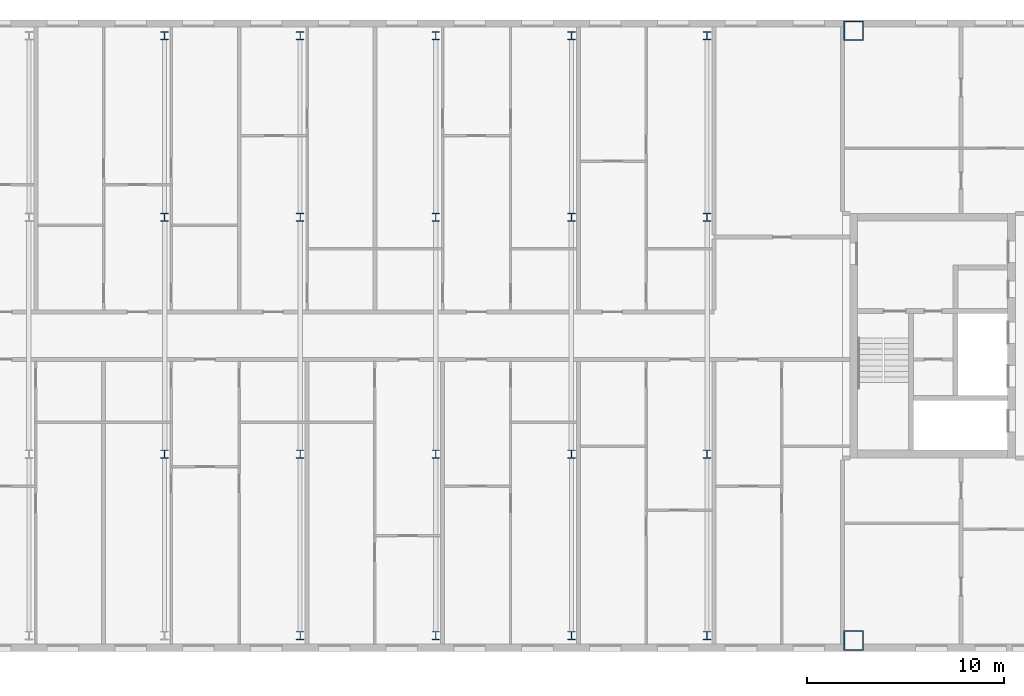
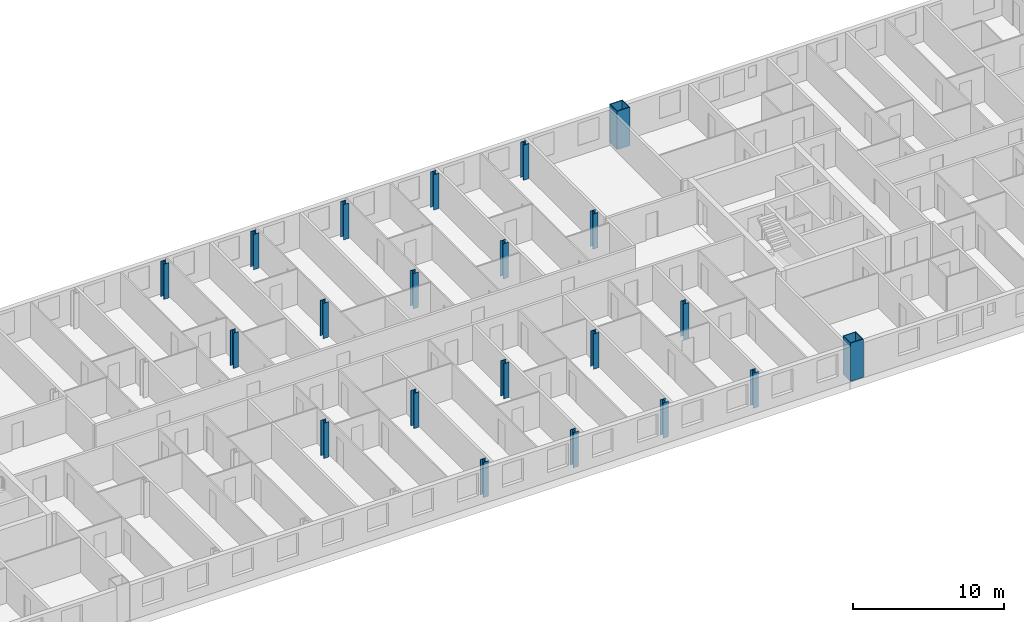
# One storey, part 2 of 19: 21 columns.
"""IFC4 building model written with IfcOpenShell, lengths in metres."""

from ifc_helpers import new_model, si_unit, direction, frame, origin, origin_2d, place, context, subcontext, project, spatial, hollow_rectangle, i_section, extrude, material, material_profile, profile_set, type_object, element, save


model = new_model("IFC4")

# Units and contexts
model_context = context("Model", 3, precision=1e-05, world=origin(), true_north=direction((0.0, 1.0)))
body_context = subcontext(model_context, "Body", "Model", "MODEL_VIEW")
ifc_project = project(units=[si_unit("LENGTHUNIT", "METRE"), si_unit("AREAUNIT", "SQUARE_METRE"), si_unit("VOLUMEUNIT", "CUBIC_METRE"), si_unit("PLANEANGLEUNIT", "RADIAN"), si_unit("MASSUNIT", "GRAM", prefix="KILO")], contexts=[model_context])

# Site, building, storey
site_placement = place(None, origin())
site = spatial("IfcSite", under=ifc_project, at=site_placement, CompositionType="ELEMENT")
building_placement = place(site_placement, origin())
building = spatial("IfcBuilding", under=site, at=building_placement, Name="Tuart Gate Housing", CompositionType="ELEMENT")
storey_placement = place(building_placement, frame((0.0, 0.0, 221.39990234375)))
storey = spatial("IfcBuildingStorey", under=building, at=storey_placement, Name="L62", CompositionType="ELEMENT", Elevation=221.39990234375)

# Columns
ifc_material_1 = material(Name="Steel Grade 350", Category="steel")
ifc_material_profile_1 = material_profile(ifc_material_1, i_section(OverallWidth=0.39990234375, OverallDepth=0.429931640625, WebThickness=0.0400390625, FlangeThickness=0.0400390625, at=origin_2d()), Name="400WC361")
ifc_profile_set_1 = profile_set([ifc_material_profile_1], Name="Steel Grade 350")
column_type_1 = type_object("IfcColumnType", Name="Link column 400 WC361", PredefinedType="COLUMN", material=ifc_profile_set_1)
for number, where, z_axis, x_axis, name in (
    (1, (103.5, 54.800048828125, 0.0), (0.0, 0.0, 1.0), (1.0, 0.0, 0.0), "Link column line 1 point 4 L62"),
    (2, (110.375, 54.800048828125, 0.0), (0.0, 0.0, 1.0), (1.0, 0.0, 0.0), "Link column line 1 point 5 L62"),
    (3, (117.25, 54.800048828125, 0.0), (0.0, 0.0, 1.0), (1.0, 0.0, 0.0), "Link column line 1 point 6 L62"),
    (4, (124.125, 54.800048828125, 0.0), (0.0, 0.0, 1.0), (1.0, 0.0, 0.0), "Link column line 1 point 7 L62"),
    (5, (96.625, 64.0, 0.0), (0.0, 0.0, 1.0), (1.0, 0.0, 0.0), "Link column line 2 point 3 L62"),
    (6, (103.5, 64.0, 0.0), (0.0, 0.0, 1.0), (1.0, 0.0, 0.0), "Link column line 2 point 4 L62"),
    (7, (110.375, 64.0, 0.0), (0.0, 0.0, 1.0), (1.0, 0.0, 0.0), "Link column line 2 point 5 L62"),
    (8, (117.25, 64.0, 0.0), (0.0, 0.0, 1.0), (1.0, 0.0, 0.0), "Link column line 2 point 6 L62"),
    (9, (124.125, 64.0, 0.0), (0.0, 0.0, 1.0), (1.0, 0.0, 0.0), "Link column line 2 point 7 L62"),
    (10, (96.625, 76.0, 0.0), (0.0, 0.0, 1.0), (1.0, 0.0, 0.0), "Link column line 3 point 3 L62"),
    (11, (103.5, 76.0, 0.0), (0.0, 0.0, 1.0), (1.0, 0.0, 0.0), "Link column line 3 point 4 L62"),
    (12, (110.375, 76.0, 0.0), (0.0, 0.0, 1.0), (1.0, 0.0, 0.0), "Link column line 3 point 5 L62"),
    (13, (117.25, 76.0, 0.0), (0.0, 0.0, 1.0), (1.0, 0.0, 0.0), "Link column line 3 point 6 L62"),
    (14, (124.125, 76.0, 0.0), (0.0, 0.0, 1.0), (1.0, 0.0, 0.0), "Link column line 3 point 7 L62"),
    (15, (96.625, 85.199951171875, 0.0), (0.0, 0.0, 1.0), (1.0, 0.0, 0.0), "Link column line 4 point 3 L62"),
    (16, (103.5, 85.199951171875, 0.0), (0.0, 0.0, 1.0), (1.0, 0.0, 0.0), "Link column line 4 point 4 L62"),
    (17, (110.375, 85.199951171875, 0.0), (0.0, 0.0, 1.0), (1.0, 0.0, 0.0), "Link column line 4 point 5 L62"),
    (18, (117.25, 85.199951171875, 0.0), (0.0, 0.0, 1.0), (1.0, 0.0, 0.0), "Link column line 4 point 6 L62"),
    (19, (124.125, 85.199951171875, 0.0), (0.0, 0.0, 1.0), (1.0, 0.0, 0.0), "Link column line 4 point 7 L62"),
):
    element("IfcColumn", number, at=place(storey_placement, frame(where, z_axis=z_axis, x_axis=x_axis)), inside=storey, type_object=column_type_1, Name=name, PredefinedType="COLUMN", context=body_context, shape_type="SweptSolid", body=[
        extrude(i_section(OverallWidth=0.39990234375, OverallDepth=0.429931640625, WebThickness=0.0400390625, FlangeThickness=0.0400390625, at=origin_2d()), origin(), (0.0, 0.0, 1.0), 2.85009765625),
    ])
ifc_material_2 = material(Name="Steel Grade 350", Category="steel")
ifc_material_profile_2 = material_profile(ifc_material_2, hollow_rectangle(XDim=1.0, YDim=1.0, WallThickness=0.054931640625, at=origin_2d()), Name="BOX 1000x1000x55")
ifc_profile_set_2 = profile_set([ifc_material_profile_2], Name="Steel Grade 350")
column_type_2 = type_object("IfcColumnType", Name="Mega column BOX 1000x1000x55", PredefinedType="COLUMN", material=ifc_profile_set_2)
for number, where, z_axis, x_axis, name in (
    (20, (131.550048828125, 54.550048828125, 0.0), (0.0, 0.0, 1.0), (1.0, 0.0, 0.0), "Mega column B south-west L62"),
    (21, (131.550048828125, 85.449951171875, 0.0), (0.0, 0.0, 1.0), (1.0, 0.0, 0.0), "Mega column B north-west L62"),
):
    element("IfcColumn", number, at=place(storey_placement, frame(where, z_axis=z_axis, x_axis=x_axis)), inside=storey, type_object=column_type_2, Name=name, PredefinedType="COLUMN", context=body_context, shape_type="SweptSolid", body=[
        extrude(hollow_rectangle(XDim=1.0, YDim=1.0, WallThickness=0.054931640625, at=origin_2d()), origin(), (0.0, 0.0, 1.0), 3.10009765625),
    ])

save(model, "model.ifc")
